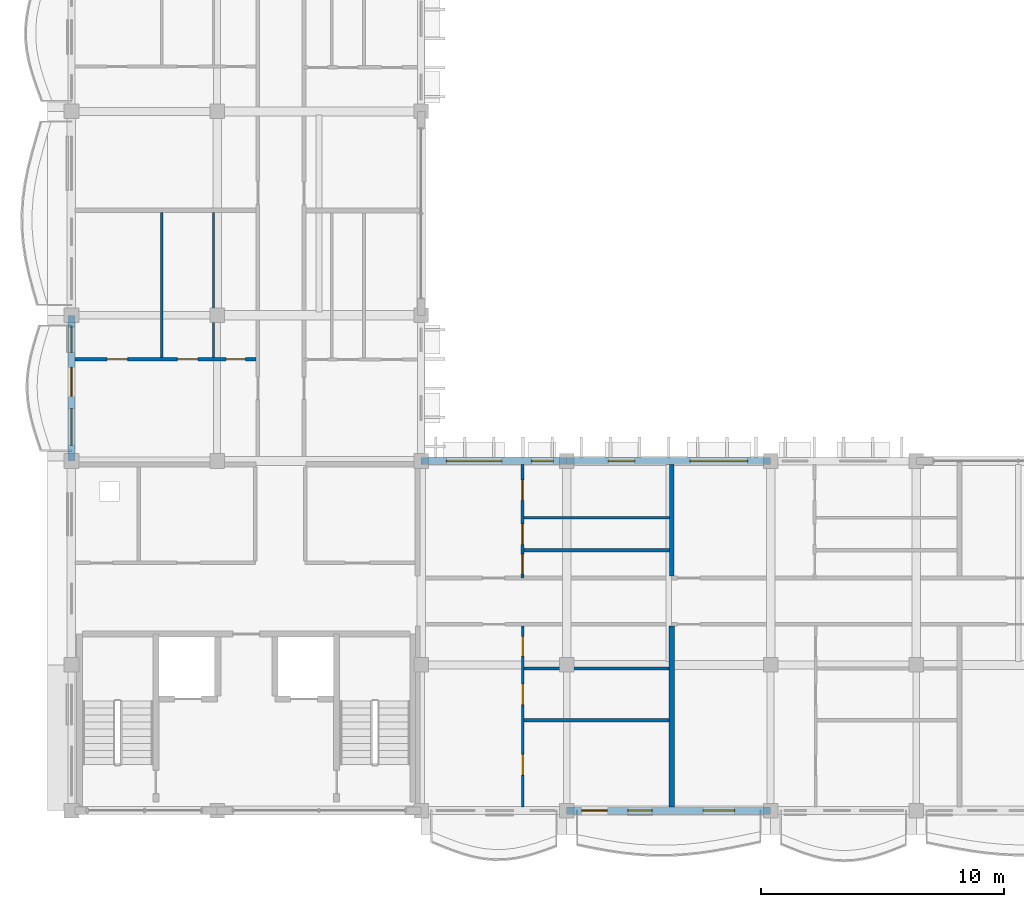
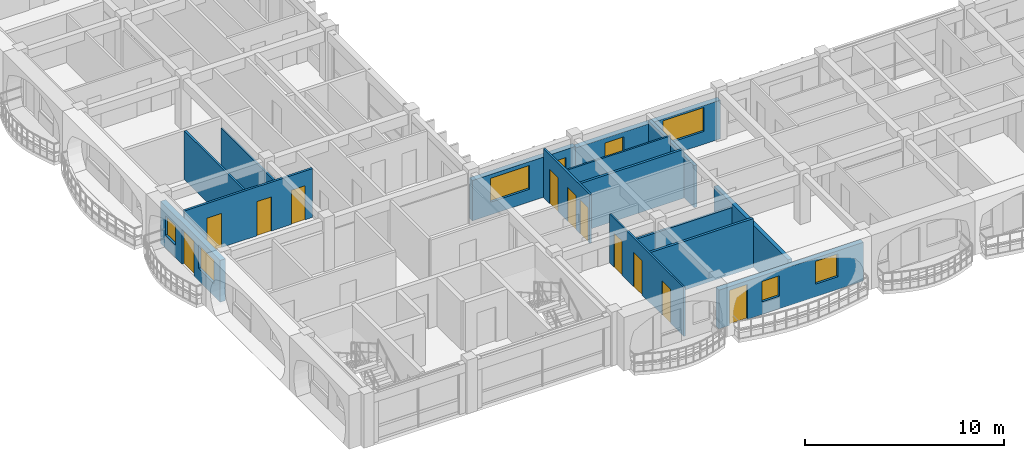
# One storey, part 24 of 76: 15 walls, 11 doors, 8 windows, 19 openings.
"""IFC4 building model written with IfcOpenShell, lengths in metres."""

from ifc_helpers import new_model, si_unit, direction, frame, frame_2d, origin, place, context, subcontext, project, spatial, rectangle, extrude, material, layer, layer_set, type_object, element, fill, save


model = new_model("IFC4")

# Units and contexts
model_context = context("Model", 3, precision=1e-05, world=origin(), true_north=direction((0.0, 1.0)))
body_context = subcontext(model_context, "Body", "Model", "MODEL_VIEW")
ifc_project = project(units=[si_unit("LENGTHUNIT", "METRE"), si_unit("AREAUNIT", "SQUARE_METRE"), si_unit("VOLUMEUNIT", "CUBIC_METRE"), si_unit("PLANEANGLEUNIT", "RADIAN"), si_unit("MASSUNIT", "GRAM", prefix="KILO"), si_unit("THERMODYNAMICTEMPERATUREUNIT", "KELVIN")], contexts=[model_context])

# Site, building, storey
site_placement = place(None, origin())
site = spatial("IfcSite", under=ifc_project, at=site_placement, CompositionType="ELEMENT")
building_placement = place(site_placement, origin())
building = spatial("IfcBuilding", under=site, at=building_placement, Name="Thalorik Housing Commons", CompositionType="ELEMENT")
storey_placement = place(building_placement, frame((0.0, 0.0, 18.0)))
storey = spatial("IfcBuildingStorey", under=building, at=storey_placement, Name="L05", CompositionType="ELEMENT", Elevation=18.0)

# Wall, openings, door, windows
ifc_material_1 = material(Name="White precast concrete C40/50", Category="concrete")
ifc_layer_1 = layer(ifc_material_1, 0.304931640625, Name="White precast concrete C40/50", Category="concrete")
ifc_layer_set_1 = layer_set([ifc_layer_1], Name="White precast concrete C40/50")
wall_type_1 = type_object("IfcWallType", Name="ARC-WAL-EXT-305", PredefinedType="STANDARD", material=ifc_layer_set_1)
wall_1_placement = place(storey_placement, frame((8.39990234375, 28.800048828125, 0.0), z_axis=(0.0, 0.0, 1.0), x_axis=(0.0, -1.0, 0.0)))
wall_1 = element("IfcWall", 1, at=wall_1_placement, inside=storey, type_object=wall_type_1, Name="L05 Exterior Wall WAL-EXT-L05-C-0972", PredefinedType="STANDARD", context=body_context, shape_type="SweptSolid", body=[
    extrude(rectangle(XDim=6.0, YDim=0.304931640625, at=frame_2d((3.0, 0.0))), origin(), (0.0, 0.0, 1.0), 2.574951171875),
])
opening_1_placement = place(wall_1_placement, frame((2.139892578125, 0.0, 0.0)))
opening_1 = element("IfcOpeningElement", 2, at=opening_1_placement, cuts=wall_1, Name="Opening ED-0322", PredefinedType="OPENING", context=body_context, shape_type="SweptSolid", body=[
    extrude(rectangle(XDim=1.199951171875, YDim=2.14990234375, at=frame_2d((0.60009765625, 1.074951171875))), frame((0.0, 0.16259765625, 0.0), z_axis=(0.0, -1.0, 0.0), x_axis=(1.0, 0.0, 0.0)), (0.0, 0.0, 1.0), 0.324951171875),
])
opening_2_placement = place(wall_1_placement, frame((0.47509765625, 0.0, 0.780029296875)))
opening_2 = element("IfcOpeningElement", 3, at=opening_2_placement, cuts=wall_1, Name="Opening W-44", PredefinedType="OPENING", context=body_context, shape_type="SweptSolid", body=[
    extrude(rectangle(XDim=1.050048828125, YDim=1.199951171875, at=frame_2d((0.52490234375, 0.60009765625))), frame((0.0, 0.16259765625, 0.0), z_axis=(0.0, -1.0, 0.0), x_axis=(1.0, 0.0, 0.0)), (0.0, 0.0, 1.0), 0.324951171875),
])
opening_3_placement = place(wall_1_placement, frame((3.840087890625, 0.0, 0.780029296875)))
opening_3 = element("IfcOpeningElement", 4, at=opening_3_placement, cuts=wall_1, Name="Opening W-52", PredefinedType="OPENING", context=body_context, shape_type="SweptSolid", body=[
    extrude(rectangle(XDim=1.52001953125, YDim=1.419921875, at=frame_2d((0.760009765625, 0.7099609375))), frame((0.0, 0.16259765625, 0.0), z_axis=(0.0, -1.0, 0.0), x_axis=(1.0, 0.0, 0.0)), (0.0, 0.0, 1.0), 0.324951171875),
])
ifc_material_2 = material(Name="Anodised aluminium and laminated safety glass", Category="aluminium")
door_type_1 = type_object("IfcDoorType", Name="ARC-DR-BAL-1200", OperationType="NOTDEFINED", PredefinedType="DOOR", material=ifc_material_2)
door_1_placement = place(opening_1_placement, frame((1.199951171875, 0.0, 0.0), z_axis=(0.0, 0.0, 1.0), x_axis=(-1.0, 0.0, 0.0)))
door_1 = element("IfcDoor", 5, at=door_1_placement, inside=storey, type_object=door_type_1, Name="L05 Block C Balcony Glazed Door", OperationType="SINGLE_SWING_LEFT", OverallHeight=2.14990234375, OverallWidth=1.199951171875, PredefinedType="DOOR", context=body_context, shape_type="SweptSolid", body=[
    extrude(rectangle(XDim=1.199951171875, YDim=2.14990234375, at=frame_2d((0.60009765625, 1.074951171875))), frame((0.0, 0.02490234375, 0.0), z_axis=(0.0, -1.0, 0.0), x_axis=(1.0, 0.0, 0.0)), (0.0, 0.0, 1.0), 0.050048828125),
])
fill(opening_1, door_1)
ifc_material_3 = material(Name="Anodised aluminium and solar-control low-E glass", Category="aluminium")
window_type_1 = type_object("IfcWindowType", Name="ARC-WIN-44", PartitioningType="SINGLE_PANEL", PredefinedType="WINDOW", material=ifc_material_3)
window_1_placement = place(opening_2_placement, origin())
window_1 = element("IfcWindow", 6, at=window_1_placement, inside=storey, type_object=window_type_1, Name="L05 Facade Window 1799", OverallHeight=1.199951171875, OverallWidth=1.050048828125, PartitioningType="SINGLE_PANEL", PredefinedType="WINDOW", context=body_context, shape_type="SweptSolid", body=[
    extrude(rectangle(XDim=1.050048828125, YDim=1.199951171875, at=frame_2d((0.52490234375, 0.60009765625))), frame((0.0, 0.030029296875, 0.0), z_axis=(0.0, -1.0, 0.0), x_axis=(1.0, 0.0, 0.0)), (0.0, 0.0, 1.0), 0.06005859375),
])
fill(opening_2, window_1)
window_type_2 = type_object("IfcWindowType", Name="ARC-WIN-52", PartitioningType="SINGLE_PANEL", PredefinedType="WINDOW", material=ifc_material_3)
window_2_placement = place(opening_3_placement, origin())
window_2 = element("IfcWindow", 7, at=window_2_placement, inside=storey, type_object=window_type_2, Name="L05 Facade Window 1800", OverallHeight=1.419921875, OverallWidth=1.52001953125, PartitioningType="SINGLE_PANEL", PredefinedType="WINDOW", context=body_context, shape_type="SweptSolid", body=[
    extrude(rectangle(XDim=1.52001953125, YDim=1.419921875, at=frame_2d((0.760009765625, 0.7099609375))), frame((0.0, 0.030029296875, 0.0), z_axis=(0.0, -1.0, 0.0), x_axis=(1.0, 0.0, 0.0)), (0.0, 0.0, 1.0), 0.06005859375),
])
fill(opening_3, window_2)

wall_2_placement = place(storey_placement, frame((28.800048828125, 8.39990234375, 0.0), z_axis=(0.0, 0.0, 1.0), x_axis=(1.0, 0.0, 0.0)))
wall_2 = element("IfcWall", 8, at=wall_2_placement, inside=storey, type_object=wall_type_1, Name="L05 Exterior Wall WAL-EXT-L05-C-0978", PredefinedType="STANDARD", context=body_context, shape_type="SweptSolid", body=[
    extrude(rectangle(XDim=8.39990234375, YDim=0.304931640625, at=frame_2d((4.199951171875, 0.0))), origin(), (0.0, 0.0, 1.0), 2.375),
])
opening_4_placement = place(wall_2_placement, frame((0.6201171875, 0.0, 0.0)))
opening_4 = element("IfcOpeningElement", 9, at=opening_4_placement, cuts=wall_2, Name="Opening ED-0324", PredefinedType="OPENING", context=body_context, shape_type="SweptSolid", body=[
    extrude(rectangle(XDim=1.050048828125, YDim=2.14990234375, at=frame_2d((0.52490234375, 1.074951171875))), frame((0.0, 0.16259765625, 0.0), z_axis=(0.0, -1.0, 0.0), x_axis=(1.0, 0.0, 0.0)), (0.0, 0.0, 1.0), 0.324951171875),
])
opening_5_placement = place(wall_2_placement, frame((2.52001953125, 0.0, 0.780029296875)))
opening_5 = element("IfcOpeningElement", 10, at=opening_5_placement, cuts=wall_2, Name="Opening W-02", PredefinedType="OPENING", context=body_context, shape_type="SweptSolid", body=[
    extrude(rectangle(XDim=1.0, YDim=1.25, at=frame_2d((0.5, 0.625))), frame((0.0, 0.16259765625, 0.0), z_axis=(0.0, -1.0, 0.0), x_axis=(1.0, 0.0, 0.0)), (0.0, 0.0, 1.0), 0.324951171875),
])
opening_6_placement = place(wall_2_placement, frame((5.614990234375, 0.0, 0.780029296875)))
opening_6 = element("IfcOpeningElement", 11, at=opening_6_placement, cuts=wall_2, Name="Opening W-06", PredefinedType="OPENING", context=body_context, shape_type="SweptSolid", body=[
    extrude(rectangle(XDim=1.300048828125, YDim=1.39990234375, at=frame_2d((0.64990234375, 0.699951171875))), frame((0.0, 0.16259765625, 0.0), z_axis=(0.0, -1.0, 0.0), x_axis=(1.0, 0.0, 0.0)), (0.0, 0.0, 1.0), 0.324951171875),
])
door_type_2 = type_object("IfcDoorType", Name="ARC-DR-BAL-1050", OperationType="NOTDEFINED", PredefinedType="DOOR", material=ifc_material_2)
door_2_placement = place(opening_4_placement, frame((1.050048828125, 0.0, 0.0), z_axis=(0.0, 0.0, 1.0), x_axis=(-1.0, 0.0, 0.0)))
door_2 = element("IfcDoor", 12, at=door_2_placement, inside=storey, type_object=door_type_2, Name="L05 Block C Balcony Glazed Door", OperationType="SINGLE_SWING_LEFT", OverallHeight=2.14990234375, OverallWidth=1.050048828125, PredefinedType="DOOR", context=body_context, shape_type="SweptSolid", body=[
    extrude(rectangle(XDim=1.050048828125, YDim=2.14990234375, at=frame_2d((0.52490234375, 1.074951171875))), frame((0.0, 0.02490234375, 0.0), z_axis=(0.0, -1.0, 0.0), x_axis=(1.0, 0.0, 0.0)), (0.0, 0.0, 1.0), 0.050048828125),
])
fill(opening_4, door_2)
window_type_3 = type_object("IfcWindowType", Name="ARC-WIN-02", PartitioningType="SINGLE_PANEL", PredefinedType="WINDOW", material=ifc_material_3)
window_3_placement = place(opening_5_placement, origin())
window_3 = element("IfcWindow", 13, at=window_3_placement, inside=storey, type_object=window_type_3, Name="L05 Facade Window 1807", OverallHeight=1.25, OverallWidth=1.0, PartitioningType="SINGLE_PANEL", PredefinedType="WINDOW", context=body_context, shape_type="SweptSolid", body=[
    extrude(rectangle(XDim=1.0, YDim=1.25, at=frame_2d((0.5, 0.625))), frame((0.0, 0.030029296875, 0.0), z_axis=(0.0, -1.0, 0.0), x_axis=(1.0, 0.0, 0.0)), (0.0, 0.0, 1.0), 0.06005859375),
])
fill(opening_5, window_3)
window_type_4 = type_object("IfcWindowType", Name="ARC-WIN-06", PartitioningType="SINGLE_PANEL", PredefinedType="WINDOW", material=ifc_material_3)
window_4_placement = place(opening_6_placement, origin())
window_4 = element("IfcWindow", 14, at=window_4_placement, inside=storey, type_object=window_type_4, Name="L05 Facade Window 1808", OverallHeight=1.39990234375, OverallWidth=1.300048828125, PartitioningType="SINGLE_PANEL", PredefinedType="WINDOW", context=body_context, shape_type="SweptSolid", body=[
    extrude(rectangle(XDim=1.300048828125, YDim=1.39990234375, at=frame_2d((0.64990234375, 0.699951171875))), frame((0.0, 0.030029296875, 0.0), z_axis=(0.0, -1.0, 0.0), x_axis=(1.0, 0.0, 0.0)), (0.0, 0.0, 1.0), 0.06005859375),
])
fill(opening_6, window_4)

# Wall, openings, windows
wall_3_placement = place(storey_placement, frame((37.199951171875, 22.800048828125, 0.0), z_axis=(0.0, 0.0, 1.0), x_axis=(-1.0, 0.0, 0.0)))
wall_3 = element("IfcWall", 15, at=wall_3_placement, inside=storey, type_object=wall_type_1, Name="L05 Exterior Wall WAL-EXT-L05-C-0987", PredefinedType="STANDARD", context=body_context, shape_type="SweptSolid", body=[
    extrude(rectangle(XDim=8.39990234375, YDim=0.304931640625, at=frame_2d((4.199951171875, 0.0))), origin(), (0.0, 0.0, 1.0), 2.375),
])
opening_7_placement = place(wall_3_placement, frame((0.945068359375, 0.0, 0.780029296875)))
opening_7 = element("IfcOpeningElement", 16, at=opening_7_placement, cuts=wall_3, Name="Opening W-69", PredefinedType="OPENING", context=body_context, shape_type="SweptSolid", body=[
    extrude(rectangle(XDim=2.3798828125, YDim=1.47998046875, at=frame_2d((1.18994140625, 0.739990234375))), frame((0.0, 0.16259765625, 0.0), z_axis=(0.0, -1.0, 0.0), x_axis=(1.0, 0.0, 0.0)), (0.0, 0.0, 1.0), 0.324951171875),
])
opening_8_placement = place(wall_3_placement, frame((5.594970703125, 0.0, 0.780029296875)))
opening_8 = element("IfcOpeningElement", 17, at=opening_8_placement, cuts=wall_3, Name="Opening W-03", PredefinedType="OPENING", context=body_context, shape_type="SweptSolid", body=[
    extrude(rectangle(XDim=1.10009765625, YDim=1.300048828125, at=frame_2d((0.550048828125, 0.64990234375))), frame((0.0, 0.16259765625, 0.0), z_axis=(0.0, -1.0, 0.0), x_axis=(1.0, 0.0, 0.0)), (0.0, 0.0, 1.0), 0.324951171875),
])
window_type_5 = type_object("IfcWindowType", Name="ARC-WIN-03", PartitioningType="SINGLE_PANEL", PredefinedType="WINDOW", material=ifc_material_3)
window_5_placement = place(opening_8_placement, origin())
window_5 = element("IfcWindow", 18, at=window_5_placement, inside=storey, type_object=window_type_5, Name="L05 Facade Window 1822", OverallHeight=1.300048828125, OverallWidth=1.10009765625, PartitioningType="SINGLE_PANEL", PredefinedType="WINDOW", context=body_context, shape_type="SweptSolid", body=[
    extrude(rectangle(XDim=1.10009765625, YDim=1.300048828125, at=frame_2d((0.550048828125, 0.64990234375))), frame((0.0, 0.030029296875, 0.0), z_axis=(0.0, -1.0, 0.0), x_axis=(1.0, 0.0, 0.0)), (0.0, 0.0, 1.0), 0.06005859375),
])
fill(opening_8, window_5)
window_type_6 = type_object("IfcWindowType", Name="ARC-WIN-69", PartitioningType="DOUBLE_PANEL_VERTICAL", PredefinedType="WINDOW", material=ifc_material_3)
window_6_placement = place(opening_7_placement, origin())
window_6 = element("IfcWindow", 19, at=window_6_placement, inside=storey, type_object=window_type_6, Name="L05 Facade Window 1821", OverallHeight=1.47998046875, OverallWidth=2.3798828125, PartitioningType="DOUBLE_PANEL_VERTICAL", PredefinedType="WINDOW", context=body_context, shape_type="SweptSolid", body=[
    extrude(rectangle(XDim=2.3798828125, YDim=1.47998046875, at=frame_2d((1.18994140625, 0.739990234375))), frame((0.0, 0.030029296875, 0.0), z_axis=(0.0, -1.0, 0.0), x_axis=(1.0, 0.0, 0.0)), (0.0, 0.0, 1.0), 0.06005859375),
])
fill(opening_7, window_6)

wall_4_placement = place(storey_placement, frame((28.800048828125, 22.800048828125, 0.0), z_axis=(0.0, 0.0, 1.0), x_axis=(-1.0, 0.0, 0.0)))
wall_4 = element("IfcWall", 20, at=wall_4_placement, inside=storey, type_object=wall_type_1, Name="L05 Exterior Wall WAL-EXT-L05-C-0988", PredefinedType="STANDARD", context=body_context, shape_type="SweptSolid", body=[
    extrude(rectangle(XDim=6.0, YDim=0.304931640625, at=frame_2d((3.0, 0.0))), origin(), (0.0, 0.0, 1.0), 2.47509765625),
])
opening_9_placement = place(wall_4_placement, frame((0.5546875, 0.0, 0.780029296875)))
opening_9 = element("IfcOpeningElement", 21, at=opening_9_placement, cuts=wall_4, Name="Opening W-01", PredefinedType="OPENING", context=body_context, shape_type="SweptSolid", body=[
    extrude(rectangle(XDim=0.89990234375, YDim=1.199951171875, at=frame_2d((0.449951171875, 0.60009765625))), frame((0.0, 0.16259765625, 0.0), z_axis=(0.0, -1.0, 0.0), x_axis=(1.0, 0.0, 0.0)), (0.0, 0.0, 1.0), 0.324951171875),
])
opening_10_placement = place(wall_4_placement, frame((2.674560546875, 0.0, 0.780029296875)))
opening_10 = element("IfcOpeningElement", 22, at=opening_10_placement, cuts=wall_4, Name="Opening W-67", PredefinedType="OPENING", context=body_context, shape_type="SweptSolid", body=[
    extrude(rectangle(XDim=2.280029296875, YDim=1.4599609375, at=frame_2d((1.14013671875, 0.72998046875))), frame((0.0, 0.16259765625, 0.0), z_axis=(0.0, -1.0, 0.0), x_axis=(1.0, 0.0, 0.0)), (0.0, 0.0, 1.0), 0.324951171875),
])
window_type_7 = type_object("IfcWindowType", Name="ARC-WIN-01", PartitioningType="SINGLE_PANEL", PredefinedType="WINDOW", material=ifc_material_3)
window_7_placement = place(opening_9_placement, origin())
window_7 = element("IfcWindow", 23, at=window_7_placement, inside=storey, type_object=window_type_7, Name="L05 Facade Window 1823", OverallHeight=1.199951171875, OverallWidth=0.89990234375, PartitioningType="SINGLE_PANEL", PredefinedType="WINDOW", context=body_context, shape_type="SweptSolid", body=[
    extrude(rectangle(XDim=0.89990234375, YDim=1.199951171875, at=frame_2d((0.449951171875, 0.60009765625))), frame((0.0, 0.030029296875, 0.0), z_axis=(0.0, -1.0, 0.0), x_axis=(1.0, 0.0, 0.0)), (0.0, 0.0, 1.0), 0.06005859375),
])
fill(opening_9, window_7)
window_type_8 = type_object("IfcWindowType", Name="ARC-WIN-67", PartitioningType="DOUBLE_PANEL_VERTICAL", PredefinedType="WINDOW", material=ifc_material_3)
window_8_placement = place(opening_10_placement, origin())
window_8 = element("IfcWindow", 24, at=window_8_placement, inside=storey, type_object=window_type_8, Name="L05 Facade Window 1824", OverallHeight=1.4599609375, OverallWidth=2.280029296875, PartitioningType="DOUBLE_PANEL_VERTICAL", PredefinedType="WINDOW", context=body_context, shape_type="SweptSolid", body=[
    extrude(rectangle(XDim=2.280029296875, YDim=1.4599609375, at=frame_2d((1.14013671875, 0.72998046875))), frame((0.0, 0.030029296875, 0.0), z_axis=(0.0, -1.0, 0.0), x_axis=(1.0, 0.0, 0.0)), (0.0, 0.0, 1.0), 0.06005859375),
])
fill(opening_10, window_8)

# Wall
ifc_material_4 = material(Name="Gypsum light stud partition", Category="masonry")
ifc_layer_2 = layer(ifc_material_4, 0.10009765625, Name="Gypsum light stud partition", Category="masonry")
ifc_layer_set_2 = layer_set([ifc_layer_2], Name="Gypsum light stud partition")
wall_type_2 = type_object("IfcWallType", Name="ARC-WAL-PART-100", PredefinedType="PARTITIONING", material=ifc_layer_set_2)
wall_5_placement = place(storey_placement, frame((14.251220703125, 27.054443359375, 0.0), z_axis=(0.0, 0.0, 1.0), x_axis=(0.0, 1.0, 0.0)))
element("IfcWall", 25, at=wall_5_placement, inside=storey, type_object=wall_type_2, Name="L05 Unit 1 Wet Wall", PredefinedType="PARTITIONING", context=body_context, shape_type="SweptSolid", body=[
    extrude(rectangle(XDim=5.970947265625, YDim=0.10009765625, at=frame_2d((2.9853515625, 0.0))), origin(), (0.0, 0.0, 1.0), 2.425048828125),
])

# Wall, openings, doors
wall_6_placement = place(storey_placement, frame((26.989990234375, 8.554443359375, 0.0), z_axis=(0.0, 0.0, 1.0), x_axis=(0.0, 1.0, 0.0)))
wall_6 = element("IfcWall", 26, at=wall_6_placement, inside=storey, type_object=wall_type_2, Name="L05 Unit 1 Spine Partition", PredefinedType="PARTITIONING", context=body_context, shape_type="SweptSolid", body=[
    extrude(rectangle(XDim=7.448486328125, YDim=0.10009765625, at=frame_2d((3.72412109375, 0.0))), origin(), (0.0, 0.0, 1.0), 3.0),
])
opening_11_placement = place(wall_6_placement, frame((1.309326171875, 0.0, 0.0)))
opening_11 = element("IfcOpeningElement", 27, at=opening_11_placement, cuts=wall_6, Name="Opening ID-1770", PredefinedType="OPENING", context=body_context, shape_type="SweptSolid", body=[
    extrude(rectangle(XDim=0.85009765625, YDim=2.10009765625, at=frame_2d((0.425048828125, 1.050048828125))), frame((0.0, 0.06005859375, 0.0), z_axis=(0.0, -1.0, 0.0), x_axis=(1.0, 0.0, 0.0)), (0.0, 0.0, 1.0), 0.1201171875),
])
opening_12_placement = place(wall_6_placement, frame((4.204833984375, 0.0, 0.0)))
opening_12 = element("IfcOpeningElement", 28, at=opening_12_placement, cuts=wall_6, Name="Opening ID-1771", PredefinedType="OPENING", context=body_context, shape_type="SweptSolid", body=[
    extrude(rectangle(XDim=0.85009765625, YDim=2.10009765625, at=frame_2d((0.425048828125, 1.050048828125))), frame((0.0, 0.06005859375, 0.0), z_axis=(0.0, -1.0, 0.0), x_axis=(1.0, 0.0, 0.0)), (0.0, 0.0, 1.0), 0.1201171875),
])
opening_13_placement = place(wall_6_placement, frame((6.211181640625, 0.0, 0.0)))
opening_13 = element("IfcOpeningElement", 29, at=opening_13_placement, cuts=wall_6, Name="Opening ID-1772", PredefinedType="OPENING", context=body_context, shape_type="SweptSolid", body=[
    extrude(rectangle(XDim=0.800048828125, YDim=2.10009765625, at=frame_2d((0.39990234375, 1.050048828125))), frame((0.0, 0.06005859375, 0.0), z_axis=(0.0, -1.0, 0.0), x_axis=(1.0, 0.0, 0.0)), (0.0, 0.0, 1.0), 0.1201171875),
])
ifc_material_5 = material(Name="Moisture-resistant timber", Category="wood")
door_type_3 = type_object("IfcDoorType", Name="ARC-DR-INT-800", OperationType="NOTDEFINED", PredefinedType="DOOR", material=ifc_material_5)
door_3_placement = place(opening_13_placement, origin())
door_3 = element("IfcDoor", 30, at=door_3_placement, inside=storey, type_object=door_type_3, Name="L05 Accessible Bathroom Door", OperationType="SINGLE_SWING_LEFT", OverallHeight=2.10009765625, OverallWidth=0.800048828125, PredefinedType="DOOR", context=body_context, shape_type="SweptSolid", body=[
    extrude(rectangle(XDim=0.800048828125, YDim=2.10009765625, at=frame_2d((0.39990234375, 1.050048828125))), frame((0.0, 0.02490234375, 0.0), z_axis=(0.0, -1.0, 0.0), x_axis=(1.0, 0.0, 0.0)), (0.0, 0.0, 1.0), 0.050048828125),
])
fill(opening_13, door_3)
ifc_material_6 = material(Name="Engineered oak timber", Category="wood")
door_type_4 = type_object("IfcDoorType", Name="ARC-DR-INT-850", OperationType="NOTDEFINED", PredefinedType="DOOR", material=ifc_material_6)
door_4_placement = place(opening_11_placement, origin())
door_4 = element("IfcDoor", 31, at=door_4_placement, inside=storey, type_object=door_type_4, Name="L05 Double Bedroom Door", OperationType="SINGLE_SWING_LEFT", OverallHeight=2.10009765625, OverallWidth=0.85009765625, PredefinedType="DOOR", context=body_context, shape_type="SweptSolid", body=[
    extrude(rectangle(XDim=0.85009765625, YDim=2.10009765625, at=frame_2d((0.425048828125, 1.050048828125))), frame((0.0, 0.02490234375, 0.0), z_axis=(0.0, -1.0, 0.0), x_axis=(1.0, 0.0, 0.0)), (0.0, 0.0, 1.0), 0.050048828125),
])
fill(opening_11, door_4)
door_5_placement = place(opening_12_placement, origin())
door_5 = element("IfcDoor", 32, at=door_5_placement, inside=storey, type_object=door_type_4, Name="L05 Eat-In Kitchen Door", OperationType="SINGLE_SWING_RIGHT", OverallHeight=2.10009765625, OverallWidth=0.85009765625, PredefinedType="DOOR", context=body_context, shape_type="SweptSolid", body=[
    extrude(rectangle(XDim=0.85009765625, YDim=2.10009765625, at=frame_2d((0.425048828125, 1.050048828125))), frame((0.0, 0.02490234375, 0.0), z_axis=(0.0, -1.0, 0.0), x_axis=(1.0, 0.0, 0.0)), (0.0, 0.0, 1.0), 0.050048828125),
])
fill(opening_12, door_5)

# Walls
wall_7_placement = place(storey_placement, frame((27.040283203125, 20.455078125, 0.0), z_axis=(0.0, 0.0, 1.0), x_axis=(1.0, 0.0, 0.0)))
element("IfcWall", 33, at=wall_7_placement, inside=storey, type_object=wall_type_2, Name="L05 Unit 1B Bedroom Partition", PredefinedType="PARTITIONING", context=body_context, shape_type="SweptSolid", body=[
    extrude(rectangle(XDim=5.985107421875, YDim=0.10009765625, at=frame_2d((2.99267578125, 0.0))), origin(), (0.0, 0.0, 1.0), 3.0),
])
ifc_material_7 = material(Name="Gypsum moisture-resistant partition", Category="masonry")
ifc_layer_3 = layer(ifc_material_7, 0.114990234375, Name="Gypsum moisture-resistant partition", Category="masonry")
ifc_layer_set_3 = layer_set([ifc_layer_3], Name="Gypsum moisture-resistant partition")
wall_type_3 = type_object("IfcWallType", Name="ARC-WAL-PART-115", PredefinedType="PARTITIONING", material=ifc_layer_set_3)
wall_8_placement = place(storey_placement, frame((12.11767578125, 27.054443359375, 0.0), z_axis=(0.0, 0.0, 1.0), x_axis=(0.0, 1.0, 0.0)))
element("IfcWall", 34, at=wall_8_placement, inside=storey, type_object=wall_type_3, Name="L05 Unit 1 Bedroom Partition", PredefinedType="PARTITIONING", context=body_context, shape_type="SweptSolid", body=[
    extrude(rectangle(XDim=5.970947265625, YDim=0.114990234375, at=frame_2d((2.9853515625, 0.0))), origin(), (0.0, 0.0, 1.0), 3.0),
])

# Wall, openings, doors
wall_9_placement = place(storey_placement, frame((26.980712890625, 17.97998046875, 0.0), z_axis=(0.0, 0.0, 1.0), x_axis=(0.0, 1.0, 0.0)))
wall_9 = element("IfcWall", 35, at=wall_9_placement, inside=storey, type_object=wall_type_3, Name="L05 Unit 1B Spine Partition", PredefinedType="PARTITIONING", context=body_context, shape_type="SweptSolid", body=[
    extrude(rectangle(XDim=4.66552734375, YDim=0.114990234375, at=frame_2d((2.332763671875, 0.0))), origin(), (0.0, 0.0, 1.0), 3.0),
])
opening_14_placement = place(wall_9_placement, frame((0.171142578125, 0.0, 0.0)))
opening_14 = element("IfcOpeningElement", 36, at=opening_14_placement, cuts=wall_9, Name="Opening ID-1773", PredefinedType="OPENING", context=body_context, shape_type="SweptSolid", body=[
    extrude(rectangle(XDim=0.800048828125, YDim=2.10009765625, at=frame_2d((0.39990234375, 1.050048828125))), frame((0.0, 0.0673828125, 0.0), z_axis=(0.0, -1.0, 0.0), x_axis=(1.0, 0.0, 0.0)), (0.0, 0.0, 1.0), 0.135009765625),
])
opening_15_placement = place(wall_9_placement, frame((1.3837890625, 0.0, 0.0)))
opening_15 = element("IfcOpeningElement", 37, at=opening_15_placement, cuts=wall_9, Name="Opening ID-1774", PredefinedType="OPENING", context=body_context, shape_type="SweptSolid", body=[
    extrude(rectangle(XDim=0.85009765625, YDim=2.10009765625, at=frame_2d((0.425048828125, 1.050048828125))), frame((0.0, 0.0673828125, 0.0), z_axis=(0.0, -1.0, 0.0), x_axis=(1.0, 0.0, 0.0)), (0.0, 0.0, 1.0), 0.135009765625),
])
opening_16_placement = place(wall_9_placement, frame((3.192626953125, 0.0, 0.0)))
opening_16 = element("IfcOpeningElement", 38, at=opening_16_placement, cuts=wall_9, Name="Opening ID-1775", PredefinedType="OPENING", context=body_context, shape_type="SweptSolid", body=[
    extrude(rectangle(XDim=0.85009765625, YDim=2.10009765625, at=frame_2d((0.425048828125, 1.050048828125))), frame((0.0, 0.0673828125, 0.0), z_axis=(0.0, -1.0, 0.0), x_axis=(1.0, 0.0, 0.0)), (0.0, 0.0, 1.0), 0.135009765625),
])
door_6_placement = place(opening_14_placement, origin())
door_6 = element("IfcDoor", 39, at=door_6_placement, inside=storey, type_object=door_type_3, Name="L05 Flat Bathroom Door", OperationType="SINGLE_SWING_RIGHT", OverallHeight=2.10009765625, OverallWidth=0.800048828125, PredefinedType="DOOR", context=body_context, shape_type="SweptSolid", body=[
    extrude(rectangle(XDim=0.800048828125, YDim=2.10009765625, at=frame_2d((0.39990234375, 1.050048828125))), frame((0.0, 0.02490234375, 0.0), z_axis=(0.0, -1.0, 0.0), x_axis=(1.0, 0.0, 0.0)), (0.0, 0.0, 1.0), 0.050048828125),
])
fill(opening_14, door_6)
door_7_placement = place(opening_15_placement, origin())
door_7 = element("IfcDoor", 40, at=door_7_placement, inside=storey, type_object=door_type_4, Name="L05 Eat-In Kitchen Door", OperationType="SINGLE_SWING_LEFT", OverallHeight=2.10009765625, OverallWidth=0.85009765625, PredefinedType="DOOR", context=body_context, shape_type="SweptSolid", body=[
    extrude(rectangle(XDim=0.85009765625, YDim=2.10009765625, at=frame_2d((0.425048828125, 1.050048828125))), frame((0.0, 0.02490234375, 0.0), z_axis=(0.0, -1.0, 0.0), x_axis=(1.0, 0.0, 0.0)), (0.0, 0.0, 1.0), 0.050048828125),
])
fill(opening_15, door_7)
door_8_placement = place(opening_16_placement, origin())
door_8 = element("IfcDoor", 41, at=door_8_placement, inside=storey, type_object=door_type_4, Name="L05 Master Bedroom Door", OperationType="SINGLE_SWING_RIGHT", OverallHeight=2.10009765625, OverallWidth=0.85009765625, PredefinedType="DOOR", context=body_context, shape_type="SweptSolid", body=[
    extrude(rectangle(XDim=0.85009765625, YDim=2.10009765625, at=frame_2d((0.425048828125, 1.050048828125))), frame((0.0, 0.02490234375, 0.0), z_axis=(0.0, -1.0, 0.0), x_axis=(1.0, 0.0, 0.0)), (0.0, 0.0, 1.0), 0.050048828125),
])
fill(opening_16, door_8)

ifc_material_8 = material(Name="Gypsum acoustic stud partition", Category="masonry")
ifc_layer_4 = layer(ifc_material_8, 0.125, Name="Gypsum acoustic stud partition", Category="masonry")
ifc_layer_set_4 = layer_set([ifc_layer_4], Name="Gypsum acoustic stud partition")
wall_type_4 = type_object("IfcWallType", Name="ARC-WAL-PART-125", PredefinedType="PARTITIONING", material=ifc_layer_set_4)
wall_10_placement = place(storey_placement, frame((8.554443359375, 26.989990234375, 0.0), z_axis=(0.0, 0.0, 1.0), x_axis=(1.0, 0.0, 0.0)))
wall_10 = element("IfcWall", 42, at=wall_10_placement, inside=storey, type_object=wall_type_4, Name="L05 Unit 1 Spine Partition", PredefinedType="PARTITIONING", context=body_context, shape_type="SweptSolid", body=[
    extrude(rectangle(XDim=7.448486328125, YDim=0.125, at=frame_2d((3.72412109375, 0.0))), origin(), (0.0, 0.0, 1.0), 3.0),
])
opening_17_placement = place(wall_10_placement, frame((1.309326171875, 0.0, 0.0)))
opening_17 = element("IfcOpeningElement", 43, at=opening_17_placement, cuts=wall_10, Name="Opening ID-1746", PredefinedType="OPENING", context=body_context, shape_type="SweptSolid", body=[
    extrude(rectangle(XDim=0.85009765625, YDim=2.10009765625, at=frame_2d((0.425048828125, 1.050048828125))), frame((0.0, 0.072509765625, 0.0), z_axis=(0.0, -1.0, 0.0), x_axis=(1.0, 0.0, 0.0)), (0.0, 0.0, 1.0), 0.14501953125),
])
opening_18_placement = place(wall_10_placement, frame((4.204833984375, 0.0, 0.0)))
opening_18 = element("IfcOpeningElement", 44, at=opening_18_placement, cuts=wall_10, Name="Opening ID-1747", PredefinedType="OPENING", context=body_context, shape_type="SweptSolid", body=[
    extrude(rectangle(XDim=0.85009765625, YDim=2.10009765625, at=frame_2d((0.425048828125, 1.050048828125))), frame((0.0, 0.072509765625, 0.0), z_axis=(0.0, -1.0, 0.0), x_axis=(1.0, 0.0, 0.0)), (0.0, 0.0, 1.0), 0.14501953125),
])
opening_19_placement = place(wall_10_placement, frame((6.211181640625, 0.0, 0.0)))
opening_19 = element("IfcOpeningElement", 45, at=opening_19_placement, cuts=wall_10, Name="Opening ID-1748", PredefinedType="OPENING", context=body_context, shape_type="SweptSolid", body=[
    extrude(rectangle(XDim=0.800048828125, YDim=2.10009765625, at=frame_2d((0.39990234375, 1.050048828125))), frame((0.0, 0.072509765625, 0.0), z_axis=(0.0, -1.0, 0.0), x_axis=(1.0, 0.0, 0.0)), (0.0, 0.0, 1.0), 0.14501953125),
])
door_9_placement = place(opening_19_placement, origin())
door_9 = element("IfcDoor", 46, at=door_9_placement, inside=storey, type_object=door_type_3, Name="L05 Accessible Bathroom Door", OperationType="SINGLE_SWING_LEFT", OverallHeight=2.10009765625, OverallWidth=0.800048828125, PredefinedType="DOOR", context=body_context, shape_type="SweptSolid", body=[
    extrude(rectangle(XDim=0.800048828125, YDim=2.10009765625, at=frame_2d((0.39990234375, 1.050048828125))), frame((0.0, 0.02490234375, 0.0), z_axis=(0.0, -1.0, 0.0), x_axis=(1.0, 0.0, 0.0)), (0.0, 0.0, 1.0), 0.050048828125),
])
fill(opening_19, door_9)
door_10_placement = place(opening_17_placement, origin())
door_10 = element("IfcDoor", 47, at=door_10_placement, inside=storey, type_object=door_type_4, Name="L05 Double Bedroom Door", OperationType="SINGLE_SWING_LEFT", OverallHeight=2.10009765625, OverallWidth=0.85009765625, PredefinedType="DOOR", context=body_context, shape_type="SweptSolid", body=[
    extrude(rectangle(XDim=0.85009765625, YDim=2.10009765625, at=frame_2d((0.425048828125, 1.050048828125))), frame((0.0, 0.02490234375, 0.0), z_axis=(0.0, -1.0, 0.0), x_axis=(1.0, 0.0, 0.0)), (0.0, 0.0, 1.0), 0.050048828125),
])
fill(opening_17, door_10)
door_11_placement = place(opening_18_placement, origin())
door_11 = element("IfcDoor", 48, at=door_11_placement, inside=storey, type_object=door_type_4, Name="L05 Eat-In Kitchen Door", OperationType="SINGLE_SWING_RIGHT", OverallHeight=2.10009765625, OverallWidth=0.85009765625, PredefinedType="DOOR", context=body_context, shape_type="SweptSolid", body=[
    extrude(rectangle(XDim=0.85009765625, YDim=2.10009765625, at=frame_2d((0.425048828125, 1.050048828125))), frame((0.0, 0.02490234375, 0.0), z_axis=(0.0, -1.0, 0.0), x_axis=(1.0, 0.0, 0.0)), (0.0, 0.0, 1.0), 0.050048828125),
])
fill(opening_18, door_11)

# Walls
wall_11_placement = place(storey_placement, frame((27.0419921875, 14.251220703125, 0.0), z_axis=(0.0, 0.0, 1.0), x_axis=(1.0, 0.0, 0.0)))
element("IfcWall", 49, at=wall_11_placement, inside=storey, type_object=wall_type_4, Name="L05 Unit 1 Wet Wall", PredefinedType="PARTITIONING", context=body_context, shape_type="SweptSolid", body=[
    extrude(rectangle(XDim=5.966064453125, YDim=0.125, at=frame_2d((2.98291015625, 0.0))), origin(), (0.0, 0.0, 1.0), 2.375),
])
ifc_material_9 = material(Name="Ceramic masonry partition wall", Category="masonry")
ifc_layer_5 = layer(ifc_material_9, 0.139892578125, Name="Ceramic masonry partition wall", Category="masonry")
ifc_layer_set_5 = layer_set([ifc_layer_5], Name="Ceramic masonry partition wall")
wall_type_5 = type_object("IfcWallType", Name="ARC-WAL-PART-140", PredefinedType="PARTITIONING", material=ifc_layer_set_5)
wall_12_placement = place(storey_placement, frame((27.0419921875, 12.11767578125, 0.0), z_axis=(0.0, 0.0, 1.0), x_axis=(1.0, 0.0, 0.0)))
element("IfcWall", 50, at=wall_12_placement, inside=storey, type_object=wall_type_5, Name="L05 Unit 1 Bedroom Partition", PredefinedType="PARTITIONING", context=body_context, shape_type="SweptSolid", body=[
    extrude(rectangle(XDim=5.966064453125, YDim=0.139892578125, at=frame_2d((2.98291015625, 0.0))), origin(), (0.0, 0.0, 1.0), 3.0),
])
wall_13_placement = place(storey_placement, frame((27.040283203125, 19.122314453125, 0.0), z_axis=(0.0, 0.0, 1.0), x_axis=(1.0, 0.0, 0.0)))
element("IfcWall", 51, at=wall_13_placement, inside=storey, type_object=wall_type_5, Name="L05 Unit 1B Wet Wall", PredefinedType="PARTITIONING", context=body_context, shape_type="SweptSolid", body=[
    extrude(rectangle(XDim=5.985107421875, YDim=0.139892578125, at=frame_2d((2.99267578125, 0.0))), origin(), (0.0, 0.0, 1.0), 3.0),
])
ifc_material_10 = material(Name="Masonry acoustic blockwork wall", Category="masonry")
ifc_layer_6 = layer(ifc_material_10, 0.18505859375, Name="Masonry acoustic blockwork wall", Category="masonry")
ifc_layer_set_6 = layer_set([ifc_layer_6], Name="Masonry acoustic blockwork wall")
wall_type_6 = type_object("IfcWallType", Name="ARC-WAL-PARTY-185", PredefinedType="PARTITIONING", material=ifc_layer_set_6)
wall_14_placement = place(storey_placement, frame((33.1201171875, 18.064453125, 0.0), z_axis=(0.0, 0.0, 1.0), x_axis=(0.0, 1.0, 0.0)))
element("IfcWall", 52, at=wall_14_placement, inside=storey, type_object=wall_type_6, Name="L05 Inter-Tenancy Wall 1B", PredefinedType="PARTITIONING", context=body_context, shape_type="SweptSolid", body=[
    extrude(rectangle(XDim=4.5810546875, YDim=0.18505859375, at=frame_2d((2.29052734375, 0.0))), origin(), (0.0, 0.0, 1.0), 2.5849609375),
])
ifc_material_11 = material(Name="Precast concrete C40/50 acoustic wall", Category="concrete")
ifc_layer_7 = layer(ifc_material_11, 0.219970703125, Name="Precast concrete C40/50 acoustic wall", Category="concrete")
ifc_layer_set_7 = layer_set([ifc_layer_7], Name="Precast concrete C40/50 acoustic wall")
wall_type_7 = type_object("IfcWallType", Name="ARC-WAL-PARTY-220", PredefinedType="PARTITIONING", material=ifc_layer_set_7)
wall_15_placement = place(storey_placement, frame((33.1201171875, 8.554443359375, 0.0), z_axis=(0.0, 0.0, 1.0), x_axis=(0.0, 1.0, 0.0)))
element("IfcWall", 53, at=wall_15_placement, inside=storey, type_object=wall_type_7, Name="L05 Inter-Tenancy Wall 1A", PredefinedType="PARTITIONING", context=body_context, shape_type="SweptSolid", body=[
    extrude(rectangle(XDim=7.448486328125, YDim=0.219970703125, at=frame_2d((3.72412109375, 0.0))), origin(), (0.0, 0.0, 1.0), 2.5849609375),
])

save(model, "model.ifc")
